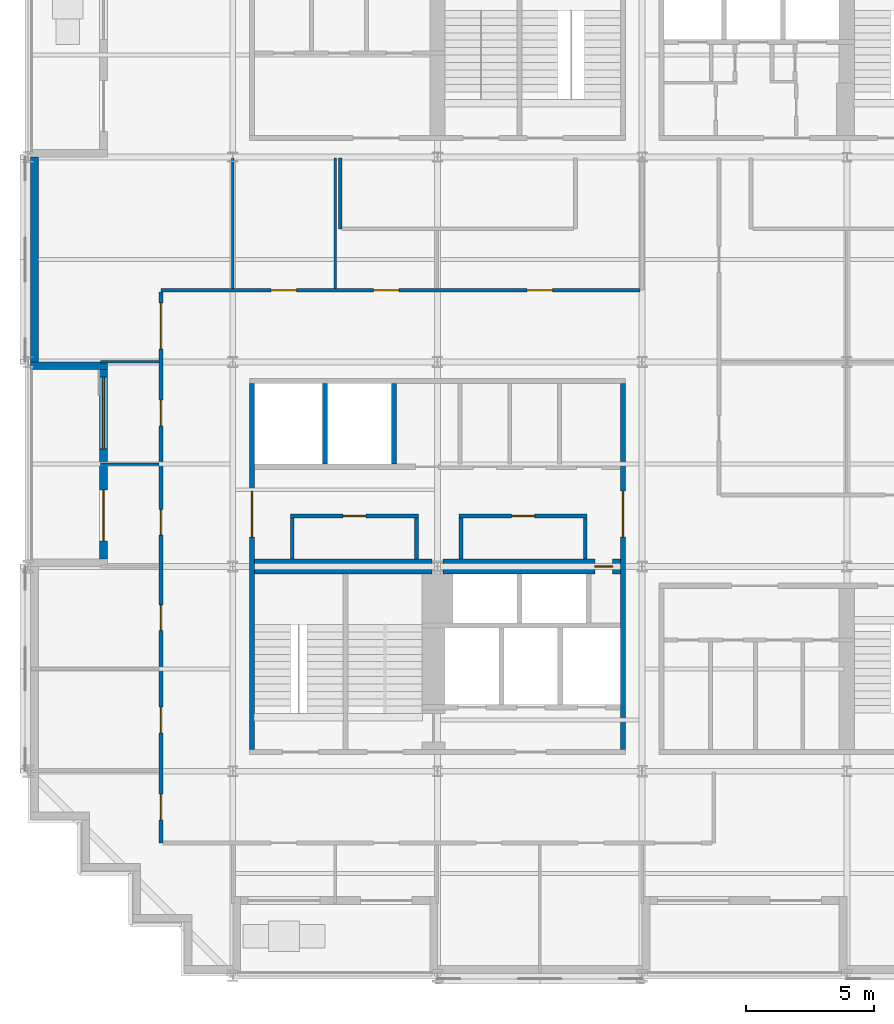
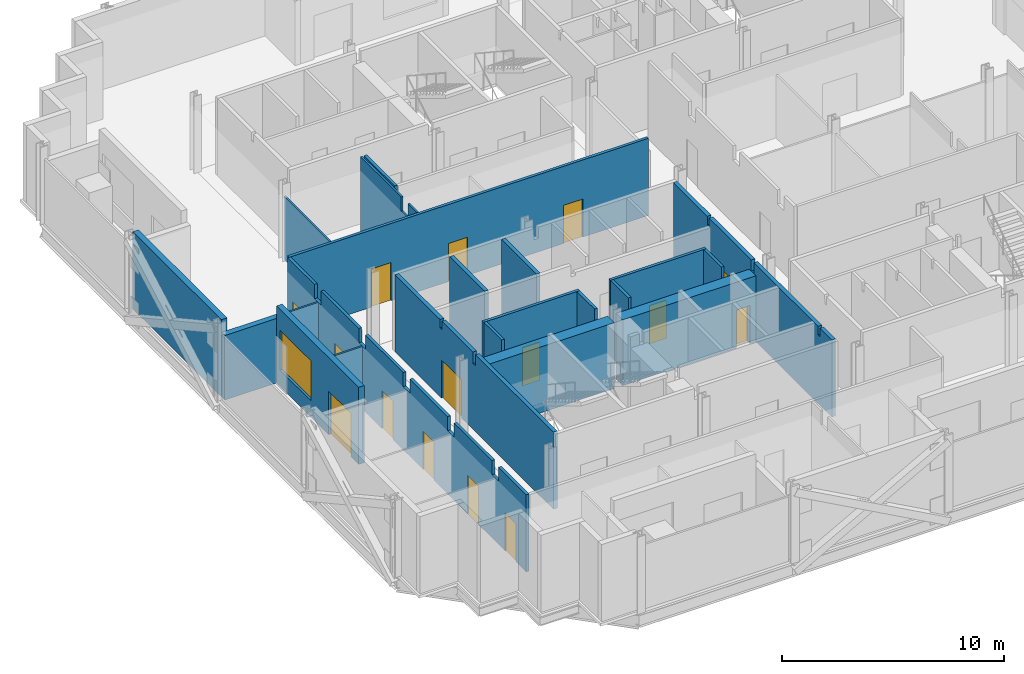
# One storey, part 7 of 15: 22 walls, 15 doors, 1 window, 16 openings.
"""IFC4 building model written with IfcOpenShell, lengths in metres."""

from ifc_helpers import new_model, si_unit, direction, frame, frame_2d, origin, place, context, subcontext, project, spatial, polyline, rectangle, outline, extrude, material, layer, layer_set, type_object, element, fill, save


model = new_model("IFC4")

# Units and contexts
model_context = context("Model", 3, precision=1e-05, world=origin(), true_north=direction((0.0, 1.0)))
body_context = subcontext(model_context, "Body", "Model", "MODEL_VIEW")
ifc_project = project(units=[si_unit("LENGTHUNIT", "METRE"), si_unit("AREAUNIT", "SQUARE_METRE"), si_unit("VOLUMEUNIT", "CUBIC_METRE"), si_unit("PLANEANGLEUNIT", "RADIAN"), si_unit("MASSUNIT", "GRAM", prefix="KILO")], contexts=[model_context])

# Site, building, storey
site_placement = place(None, origin())
site = spatial("IfcSite", under=ifc_project, at=site_placement, CompositionType="ELEMENT")
building_placement = place(site_placement, origin())
building = spatial("IfcBuilding", under=site, at=building_placement, Name="Immortelle Media Tower", CompositionType="ELEMENT")
storey_placement = place(building_placement, frame((0.0, 0.0, 78.800048828125)))
storey = spatial("IfcBuildingStorey", under=building, at=storey_placement, Name="L14", CompositionType="ELEMENT", Elevation=78.800048828125)

# Wall, opening, door
ifc_material_1 = material(Name="Fire-rated masonry blockwork", Category="masonry")
ifc_layer_1 = layer(ifc_material_1, 0.60009765625)
ifc_layer_set_1 = layer_set([ifc_layer_1], Name="Fire-rated masonry blockwork")
wall_type_1 = type_object("IfcWallType", Name="Core grid-line wall 600", PredefinedType="PARTITIONING", material=ifc_layer_set_1)
wall_1_placement = place(storey_placement, frame((16.218505859375, 16.0, 0.0), z_axis=(0.0, 0.0, 1.0), x_axis=(1.0, 0.0, 0.0)))
wall_1 = element("IfcWall", 1, at=wall_1_placement, inside=storey, type_object=wall_type_1, Name="Core grid-line wall SW", PredefinedType="PARTITIONING", context=body_context, shape_type="SweptSolid", body=[
    extrude(rectangle(XDim=6.931396484375, YDim=0.60009765625, at=frame_2d((3.4658203125, 0.0))), origin(), (0.0, 0.0, 1.0), 3.6318359375),
])
opening_1_placement = place(wall_1_placement, frame((6.63134765625, 0.0, 0.0), z_axis=(0.0, 0.0, 1.0), x_axis=(-1.0, 0.0, 0.0)))
opening_1 = element("IfcOpeningElement", 2, at=opening_1_placement, cuts=wall_1, Name="Opening N4-K013", PredefinedType="OPENING", context=body_context, shape_type="SweptSolid", body=[
    extrude(rectangle(XDim=0.699951171875, YDim=2.10009765625, at=frame_2d((0.35009765625, 1.050048828125))), frame((0.0, 0.31005859375, 0.0), z_axis=(0.0, -1.0, 0.0), x_axis=(1.0, 0.0, 0.0)), (0.0, 0.0, 1.0), 0.6201171875),
])
ifc_material_2 = material(Name="Galvanised steel door leaf and frame ASTM A653", Category="steel")
door_type_1 = type_object("IfcDoorType", Name="Service door 700 x 2100", OperationType="NOTDEFINED", PredefinedType="NOTDEFINED", material=ifc_material_2)
door_1_placement = place(opening_1_placement, origin())
door_1 = element("IfcDoor", 3, at=door_1_placement, inside=storey, type_object=door_type_1, Name="Service N4-K013", OperationType="SINGLE_SWING_LEFT", OverallHeight=2.10009765625, OverallWidth=0.699951171875, PredefinedType="NOTDEFINED", context=body_context, shape_type="SweptSolid", body=[
    extrude(rectangle(XDim=0.699951171875, YDim=2.10009765625, at=frame_2d((0.35009765625, 1.050048828125))), frame((0.0, 0.02490234375, 0.0), z_axis=(0.0, -1.0, 0.0), x_axis=(1.0, 0.0, 0.0)), (0.0, 0.0, 1.0), 0.050048828125),
])
fill(opening_1, door_1)

# Wall
ifc_material_3 = material(Name="Fire-rated gypsum board", Category="gypsum")
ifc_layer_2 = layer(ifc_material_3, 0.02490234375)
ifc_material_4 = material(Name="Steel ASTM A653 SS Gr 50 stud frame with mineral wool", Category="steel")
ifc_layer_3 = layer(ifc_material_4, 0.10009765625)
ifc_layer_4 = layer(ifc_material_3, 0.02490234375)
ifc_layer_set_2 = layer_set([ifc_layer_2, ifc_layer_3, ifc_layer_4], Name="Steel ASTM A653 SS Gr 50 stud frame with mineral wool")
wall_type_2 = type_object("IfcWallType", Name="Core partition 150", PredefinedType="PARTITIONING", material=ifc_layer_set_2)
wall_2_placement = place(storey_placement, frame((10.324951171875, 16.300048828125, 0.0), z_axis=(0.0, 0.0, 1.0), x_axis=(0.0, 1.0, 0.0)))
element("IfcWall", 4, at=wall_2_placement, inside=storey, type_object=wall_type_2, Name="Core partition SW", PredefinedType="PARTITIONING", context=body_context, shape_type="SweptSolid", body=[
    extrude(rectangle(XDim=1.599853515625, YDim=0.14990234375, at=frame_2d((0.7998046875, 0.0))), origin(), (0.0, 0.0, 1.0), 4.25),
])

# Wall, opening, door
wall_3_placement = place(storey_placement, frame((10.25, 17.97509765625, 0.0), z_axis=(0.0, 0.0, 1.0), x_axis=(1.0, 0.0, 0.0)))
wall_3 = element("IfcWall", 5, at=wall_3_placement, inside=storey, type_object=wall_type_2, Name="Core partition SW", PredefinedType="PARTITIONING", context=body_context, shape_type="SweptSolid", body=[
    extrude(rectangle(XDim=5.0, YDim=0.14990234375, at=frame_2d((2.5, 0.0))), origin(), (0.0, 0.0, 1.0), 4.25),
])
opening_2_placement = place(wall_3_placement, frame((2.949951171875, 0.0, 0.0), z_axis=(0.0, 0.0, 1.0), x_axis=(-1.0, 0.0, 0.0)))
opening_2 = element("IfcOpeningElement", 6, at=opening_2_placement, cuts=wall_3, Name="Opening N4-K003", PredefinedType="OPENING", context=body_context, shape_type="SweptSolid", body=[
    extrude(rectangle(XDim=0.89990234375, YDim=2.10009765625, at=frame_2d((0.449951171875, 1.050048828125))), frame((0.0, 0.0849609375, 0.0), z_axis=(0.0, -1.0, 0.0), x_axis=(1.0, 0.0, 0.0)), (0.0, 0.0, 1.0), 0.169921875),
])
ifc_material_5 = material(Name="Timber", Category="wood")
door_type_2 = type_object("IfcDoorType", Name="Room door 900 x 2100", OperationType="NOTDEFINED", PredefinedType="NOTDEFINED", material=ifc_material_5)
door_2_placement = place(opening_2_placement, origin())
door_2 = element("IfcDoor", 7, at=door_2_placement, inside=storey, type_object=door_type_2, Name="Room N4-K003", OperationType="SINGLE_SWING_RIGHT", OverallHeight=2.10009765625, OverallWidth=0.89990234375, PredefinedType="NOTDEFINED", context=body_context, shape_type="SweptSolid", body=[
    extrude(rectangle(XDim=0.89990234375, YDim=2.10009765625, at=frame_2d((0.449951171875, 1.050048828125))), frame((0.0, 0.02490234375, 0.0), z_axis=(0.0, -1.0, 0.0), x_axis=(1.0, 0.0, 0.0)), (0.0, 0.0, 1.0), 0.050048828125),
])
fill(opening_2, door_2)

# Walls
for number, where, z_axis, x_axis, name in (
    (8, (15.175048828125, 16.300048828125, 0.0), (0.0, 0.0, 1.0), (0.0, 1.0, 0.0), "Core partition SW"),
    (9, (16.925048828125, 16.300048828125, 0.0), (0.0, 0.0, 1.0), (0.0, 1.0, 0.0), "Core partition SW"),
):
    element("IfcWall", number, at=place(storey_placement, frame(where, z_axis=z_axis, x_axis=x_axis)), inside=storey, type_object=wall_type_2, Name=name, PredefinedType="PARTITIONING", context=body_context, shape_type="SweptSolid", body=[
        extrude(rectangle(XDim=1.599853515625, YDim=0.14990234375, at=frame_2d((0.7998046875, 0.0))), origin(), (0.0, 0.0, 1.0), 4.25),
    ])

# Wall, opening, door
wall_4_placement = place(storey_placement, frame((16.85009765625, 17.97509765625, 0.0), z_axis=(0.0, 0.0, 1.0), x_axis=(1.0, 0.0, 0.0)))
wall_4 = element("IfcWall", 10, at=wall_4_placement, inside=storey, type_object=wall_type_2, Name="Core partition SW", PredefinedType="PARTITIONING", context=body_context, shape_type="SweptSolid", body=[
    extrude(rectangle(XDim=5.0, YDim=0.14990234375, at=frame_2d((2.5, 0.0))), origin(), (0.0, 0.0, 1.0), 4.25),
])
opening_3_placement = place(wall_4_placement, frame((2.949951171875, 0.0, 0.0), z_axis=(0.0, 0.0, 1.0), x_axis=(-1.0, 0.0, 0.0)))
opening_3 = element("IfcOpeningElement", 11, at=opening_3_placement, cuts=wall_4, Name="Opening N4-K037", PredefinedType="OPENING", context=body_context, shape_type="SweptSolid", body=[
    extrude(rectangle(XDim=0.89990234375, YDim=2.10009765625, at=frame_2d((0.449951171875, 1.050048828125))), frame((0.0, 0.0849609375, 0.0), z_axis=(0.0, -1.0, 0.0), x_axis=(1.0, 0.0, 0.0)), (0.0, 0.0, 1.0), 0.169921875),
])
door_3_placement = place(opening_3_placement, origin())
door_3 = element("IfcDoor", 12, at=door_3_placement, inside=storey, type_object=door_type_2, Name="Room N4-K037", OperationType="SINGLE_SWING_LEFT", OverallHeight=2.10009765625, OverallWidth=0.89990234375, PredefinedType="NOTDEFINED", context=body_context, shape_type="SweptSolid", body=[
    extrude(rectangle(XDim=0.89990234375, YDim=2.10009765625, at=frame_2d((0.449951171875, 1.050048828125))), frame((0.0, 0.02490234375, 0.0), z_axis=(0.0, -1.0, 0.0), x_axis=(1.0, 0.0, 0.0)), (0.0, 0.0, 1.0), 0.050048828125),
])
fill(opening_3, door_3)

# Walls
wall_5_placement = place(storey_placement, frame((21.77490234375, 16.300048828125, 0.0), z_axis=(0.0, 0.0, 1.0), x_axis=(0.0, 1.0, 0.0)))
element("IfcWall", 13, at=wall_5_placement, inside=storey, type_object=wall_type_2, Name="Core partition SW", PredefinedType="PARTITIONING", context=body_context, shape_type="SweptSolid", body=[
    extrude(rectangle(XDim=1.599853515625, YDim=0.14990234375, at=frame_2d((0.7998046875, 0.0))), origin(), (0.0, 0.0, 1.0), 4.25),
])
ifc_layer_5 = layer(ifc_material_3, 0.03759765625)
ifc_layer_6 = layer(ifc_material_4, 0.125)
ifc_layer_7 = layer(ifc_material_3, 0.03759765625)
ifc_layer_set_3 = layer_set([ifc_layer_5, ifc_layer_6, ifc_layer_7], Name="Steel ASTM A653 SS Gr 50 stud frame with mineral wool")
wall_type_3 = type_object("IfcWallType", Name="Core shaft wall 200", PredefinedType="PARTITIONING", material=ifc_layer_set_3)
for number, where, z_axis, x_axis, name in (
    (14, (11.60009765625, 20.0, 0.0), (0.0, 0.0, 1.0), (0.0, 1.0, 0.0), "Core shaft wall SW"),
    (15, (14.300048828125, 20.0, 0.0), (0.0, 0.0, 1.0), (0.0, 1.0, 0.0), "Core shaft wall SW"),
):
    element("IfcWall", number, at=place(storey_placement, frame(where, z_axis=z_axis, x_axis=x_axis)), inside=storey, type_object=wall_type_3, Name=name, PredefinedType="PARTITIONING", context=body_context, shape_type="SweptSolid", body=[
        extrude(rectangle(XDim=3.14990234375, YDim=0.199951171875, at=frame_2d((1.574951171875, 0.0))), origin(), (0.0, 0.0, 1.0), 4.25),
    ])

# Wall, opening, door
wall_6_placement = place(storey_placement, frame((23.25, 8.85009765625, 0.0), z_axis=(0.0, 0.0, 1.0), x_axis=(0.0, 1.0, 0.0)))
wall_6 = element("IfcWall", 16, at=wall_6_placement, inside=storey, type_object=wall_type_3, Name="Core shaft wall SW", PredefinedType="PARTITIONING", context=body_context, shape_type="SweptSolid", body=[
    extrude(outline(polyline([(0.0, 0.0), (14.2998046875, 0.0), (14.300048828125, 4.25), (11.2314453125, 4.25), (11.23046875, 3.7890625), (11.069580078125, 3.7890625), (11.068603515625, 4.25), (7.26953125, 4.25), (7.2685546875, 3.6318359375), (7.031494140625, 3.6318359375), (7.030517578125, 4.25), (1.2314453125, 4.25), (1.23046875, 3.7890625), (1.069580078125, 3.7890625), (1.068603515625, 4.25), (0.0, 4.25), (0.0, 0.0)])), frame((0.0, 0.10009765625, 0.0), z_axis=(0.0, -1.0, 0.0), x_axis=(1.0, 0.0, 0.0)), (0.0, 0.0, 1.0), 0.199951171875),
])
opening_4_placement = place(wall_6_placement, frame((8.300048828125, 0.0, 0.0)))
opening_4 = element("IfcOpeningElement", 17, at=opening_4_placement, cuts=wall_6, Name="Opening N4-K014", PredefinedType="OPENING", context=body_context, shape_type="SweptSolid", body=[
    extrude(rectangle(XDim=1.800048828125, YDim=2.10009765625, at=frame_2d((0.89990234375, 1.050048828125))), frame((0.0, 0.10986328125, 0.0), z_axis=(0.0, -1.0, 0.0), x_axis=(1.0, 0.0, 0.0)), (0.0, 0.0, 1.0), 0.219970703125),
])
door_type_3 = type_object("IfcDoorType", Name="Lift lobby door 1800 x 2100", OperationType="DOUBLE_DOOR_SINGLE_SWING", PredefinedType="NOTDEFINED", material=ifc_material_2)
door_4_placement = place(opening_4_placement, origin())
door_4 = element("IfcDoor", 18, at=door_4_placement, inside=storey, type_object=door_type_3, Name="Lift lobby N4-K014", OperationType="DOUBLE_DOOR_SINGLE_SWING", OverallHeight=2.10009765625, OverallWidth=1.800048828125, PredefinedType="NOTDEFINED", context=body_context, shape_type="SweptSolid", body=[
    extrude(rectangle(XDim=1.800048828125, YDim=2.10009765625, at=frame_2d((0.89990234375, 1.050048828125))), frame((0.0, 0.02490234375, 0.0), z_axis=(0.0, -1.0, 0.0), x_axis=(1.0, 0.0, 0.0)), (0.0, 0.0, 1.0), 0.050048828125),
])
fill(opening_4, door_4)

# Wall, openings, doors
ifc_layer_8 = layer(ifc_material_3, 0.012451171875)
ifc_layer_9 = layer(ifc_material_4, 0.125)
ifc_layer_10 = layer(ifc_material_3, 0.012451171875)
ifc_layer_set_4 = layer_set([ifc_layer_8, ifc_layer_9, ifc_layer_10], Name="Steel ASTM A653 SS Gr 50 stud frame with mineral wool")
wall_type_4 = type_object("IfcWallType", Name="Corridor wall 150", PredefinedType="PARTITIONING", material=ifc_layer_set_4)
wall_7_placement = place(storey_placement, frame((5.199951171875, 5.199951171875, 0.0), z_axis=(0.0, 0.0, 1.0), x_axis=(0.0, 1.0, 0.0)))
wall_7 = element("IfcWall", 19, at=wall_7_placement, inside=storey, type_object=wall_type_4, Name="Partition L14-007", PredefinedType="PARTITIONING", context=body_context, shape_type="SweptSolid", body=[
    extrude(outline(polyline([(0.0, 0.0), (21.525146484375, 0.0), (21.52490234375, 4.25), (19.10009765625, 4.25), (19.097900390625, 3.469970703125), (18.501953125, 3.469970703125), (18.5, 4.25), (15.10009765625, 4.25), (15.097900390625, 3.469970703125), (14.501953125, 3.469970703125), (14.5, 4.25), (11.10009765625, 4.25), (11.097900390625, 3.469970703125), (10.501953125, 3.469970703125), (10.5, 4.25), (7.10009765625, 4.25), (7.097900390625, 3.469970703125), (6.501953125, 3.469970703125), (6.5, 4.25), (3.10009765625, 4.25), (3.097900390625, 3.469970703125), (2.501953125, 3.469970703125), (2.5, 4.25), (0.0, 4.25), (0.0, 0.0)])), frame((0.0, 0.074951171875, 0.0), z_axis=(0.0, -1.0, 0.0), x_axis=(1.0, 0.0, 0.0)), (0.0, 0.0, 1.0), 0.14990234375),
])
opening_5_placement = place(wall_7_placement, frame((0.89990234375, 0.0, 0.0)))
opening_5 = element("IfcOpeningElement", 20, at=opening_5_placement, cuts=wall_7, Name="Opening N4-F005", PredefinedType="OPENING", context=body_context, shape_type="SweptSolid", body=[
    extrude(rectangle(XDim=1.0, YDim=2.10009765625, at=frame_2d((0.5, 1.050048828125))), frame((0.0, 0.0849609375, 0.0), z_axis=(0.0, -1.0, 0.0), x_axis=(1.0, 0.0, 0.0)), (0.0, 0.0, 1.0), 0.169921875),
])
opening_6_placement = place(wall_7_placement, frame((4.300048828125, 0.0, 0.0)))
opening_6 = element("IfcOpeningElement", 21, at=opening_6_placement, cuts=wall_7, Name="Opening N4-F007", PredefinedType="OPENING", context=body_context, shape_type="SweptSolid", body=[
    extrude(rectangle(XDim=1.0, YDim=2.10009765625, at=frame_2d((0.5, 1.050048828125))), frame((0.0, 0.0849609375, 0.0), z_axis=(0.0, -1.0, 0.0), x_axis=(1.0, 0.0, 0.0)), (0.0, 0.0, 1.0), 0.169921875),
])
opening_7_placement = place(wall_7_placement, frame((8.300048828125, 0.0, 0.0)))
opening_7 = element("IfcOpeningElement", 22, at=opening_7_placement, cuts=wall_7, Name="Opening N4-F008", PredefinedType="OPENING", context=body_context, shape_type="SweptSolid", body=[
    extrude(rectangle(XDim=1.0, YDim=2.10009765625, at=frame_2d((0.5, 1.050048828125))), frame((0.0, 0.0849609375, 0.0), z_axis=(0.0, -1.0, 0.0), x_axis=(1.0, 0.0, 0.0)), (0.0, 0.0, 1.0), 0.169921875),
])
opening_8_placement = place(wall_7_placement, frame((12.02490234375, 0.0, 0.0)))
opening_8 = element("IfcOpeningElement", 23, at=opening_8_placement, cuts=wall_7, Name="Opening N4-F009", PredefinedType="OPENING", context=body_context, shape_type="SweptSolid", body=[
    extrude(rectangle(XDim=1.0, YDim=2.10009765625, at=frame_2d((0.5, 1.050048828125))), frame((0.0, 0.0849609375, 0.0), z_axis=(0.0, -1.0, 0.0), x_axis=(1.0, 0.0, 0.0)), (0.0, 0.0, 1.0), 0.169921875),
])
opening_9_placement = place(wall_7_placement, frame((16.300048828125, 0.0, 0.0)))
opening_9 = element("IfcOpeningElement", 24, at=opening_9_placement, cuts=wall_7, Name="Opening N4-F010", PredefinedType="OPENING", context=body_context, shape_type="SweptSolid", body=[
    extrude(rectangle(XDim=1.0, YDim=2.10009765625, at=frame_2d((0.5, 1.050048828125))), frame((0.0, 0.0849609375, 0.0), z_axis=(0.0, -1.0, 0.0), x_axis=(1.0, 0.0, 0.0)), (0.0, 0.0, 1.0), 0.169921875),
])
opening_10_placement = place(wall_7_placement, frame((19.300048828125, 0.0, 0.0)))
opening_10 = element("IfcOpeningElement", 25, at=opening_10_placement, cuts=wall_7, Name="Opening N4-F020", PredefinedType="OPENING", context=body_context, shape_type="SweptSolid", body=[
    extrude(rectangle(XDim=1.800048828125, YDim=2.10009765625, at=frame_2d((0.89990234375, 1.050048828125))), frame((0.0, 0.0849609375, 0.0), z_axis=(0.0, -1.0, 0.0), x_axis=(1.0, 0.0, 0.0)), (0.0, 0.0, 1.0), 0.169921875),
])
ifc_material_6 = material(Name="Timber veneered door leaf, galvanised steel frame ASTM A653", Category="steel")
door_type_4 = type_object("IfcDoorType", Name="Room door 1000 x 2100", OperationType="NOTDEFINED", PredefinedType="DOOR", material=ifc_material_6)
door_5_placement = place(opening_5_placement, origin())
door_5 = element("IfcDoor", 26, at=door_5_placement, inside=storey, type_object=door_type_4, Name="Door N4-F005", OperationType="SINGLE_SWING_RIGHT", OverallHeight=2.10009765625, OverallWidth=1.0, PredefinedType="DOOR", context=body_context, shape_type="SweptSolid", body=[
    extrude(rectangle(XDim=1.0, YDim=2.10009765625, at=frame_2d((0.5, 1.050048828125))), frame((0.0, 0.02490234375, 0.0), z_axis=(0.0, -1.0, 0.0), x_axis=(1.0, 0.0, 0.0)), (0.0, 0.0, 1.0), 0.050048828125),
])
fill(opening_5, door_5)
door_6_placement = place(opening_6_placement, origin())
door_6 = element("IfcDoor", 27, at=door_6_placement, inside=storey, type_object=door_type_4, Name="Door N4-F007", OperationType="SINGLE_SWING_RIGHT", OverallHeight=2.10009765625, OverallWidth=1.0, PredefinedType="DOOR", context=body_context, shape_type="SweptSolid", body=[
    extrude(rectangle(XDim=1.0, YDim=2.10009765625, at=frame_2d((0.5, 1.050048828125))), frame((0.0, 0.02490234375, 0.0), z_axis=(0.0, -1.0, 0.0), x_axis=(1.0, 0.0, 0.0)), (0.0, 0.0, 1.0), 0.050048828125),
])
fill(opening_6, door_6)
door_7_placement = place(opening_7_placement, origin())
door_7 = element("IfcDoor", 28, at=door_7_placement, inside=storey, type_object=door_type_4, Name="Door N4-F008", OperationType="SINGLE_SWING_LEFT", OverallHeight=2.10009765625, OverallWidth=1.0, PredefinedType="DOOR", context=body_context, shape_type="SweptSolid", body=[
    extrude(rectangle(XDim=1.0, YDim=2.10009765625, at=frame_2d((0.5, 1.050048828125))), frame((0.0, 0.02490234375, 0.0), z_axis=(0.0, -1.0, 0.0), x_axis=(1.0, 0.0, 0.0)), (0.0, 0.0, 1.0), 0.050048828125),
])
fill(opening_7, door_7)
door_8_placement = place(opening_8_placement, origin())
door_8 = element("IfcDoor", 29, at=door_8_placement, inside=storey, type_object=door_type_4, Name="Door N4-F009", OperationType="SINGLE_SWING_LEFT", OverallHeight=2.10009765625, OverallWidth=1.0, PredefinedType="DOOR", context=body_context, shape_type="SweptSolid", body=[
    extrude(rectangle(XDim=1.0, YDim=2.10009765625, at=frame_2d((0.5, 1.050048828125))), frame((0.0, 0.02490234375, 0.0), z_axis=(0.0, -1.0, 0.0), x_axis=(1.0, 0.0, 0.0)), (0.0, 0.0, 1.0), 0.050048828125),
])
fill(opening_8, door_8)
door_9_placement = place(opening_9_placement, origin())
door_9 = element("IfcDoor", 30, at=door_9_placement, inside=storey, type_object=door_type_4, Name="Door N4-F010", OperationType="SINGLE_SWING_RIGHT", OverallHeight=2.10009765625, OverallWidth=1.0, PredefinedType="DOOR", context=body_context, shape_type="SweptSolid", body=[
    extrude(rectangle(XDim=1.0, YDim=2.10009765625, at=frame_2d((0.5, 1.050048828125))), frame((0.0, 0.02490234375, 0.0), z_axis=(0.0, -1.0, 0.0), x_axis=(1.0, 0.0, 0.0)), (0.0, 0.0, 1.0), 0.050048828125),
])
fill(opening_9, door_9)
door_type_5 = type_object("IfcDoorType", Name="Room door 1800 x 2100", OperationType="DOUBLE_DOOR_SINGLE_SWING", PredefinedType="DOOR", material=ifc_material_6)
door_10_placement = place(opening_10_placement, origin())
door_10 = element("IfcDoor", 31, at=door_10_placement, inside=storey, type_object=door_type_5, Name="Door N4-F020", OperationType="DOUBLE_DOOR_SINGLE_SWING", OverallHeight=2.10009765625, OverallWidth=1.800048828125, PredefinedType="DOOR", context=body_context, shape_type="SweptSolid", body=[
    extrude(rectangle(XDim=1.800048828125, YDim=2.10009765625, at=frame_2d((0.89990234375, 1.050048828125))), frame((0.0, 0.02490234375, 0.0), z_axis=(0.0, -1.0, 0.0), x_axis=(1.0, 0.0, 0.0)), (0.0, 0.0, 1.0), 0.050048828125),
])
fill(opening_10, door_10)

wall_8_placement = place(storey_placement, frame((5.199951171875, 26.800048828125, 0.0), z_axis=(0.0, 0.0, 1.0), x_axis=(1.0, 0.0, 0.0)))
wall_8 = element("IfcWall", 32, at=wall_8_placement, inside=storey, type_object=wall_type_4, Name="Partition L14-027", PredefinedType="PARTITIONING", context=body_context, shape_type="SweptSolid", body=[
    extrude(rectangle(XDim=18.72509765625, YDim=0.14990234375, at=frame_2d((9.362548828125, 0.0))), origin(), (0.0, 0.0, 1.0), 4.25),
])
opening_11_placement = place(wall_8_placement, frame((14.300048828125, 0.0, 0.0)))
opening_11 = element("IfcOpeningElement", 33, at=opening_11_placement, cuts=wall_8, Name="Opening N4-F016", PredefinedType="OPENING", context=body_context, shape_type="SweptSolid", body=[
    extrude(rectangle(XDim=1.0, YDim=2.10009765625, at=frame_2d((0.5, 1.050048828125))), frame((0.0, 0.0849609375, 0.0), z_axis=(0.0, -1.0, 0.0), x_axis=(1.0, 0.0, 0.0)), (0.0, 0.0, 1.0), 0.169921875),
])
opening_12_placement = place(wall_8_placement, frame((4.300048828125, 0.0, 0.0)))
opening_12 = element("IfcOpeningElement", 34, at=opening_12_placement, cuts=wall_8, Name="Opening N4-F017", PredefinedType="OPENING", context=body_context, shape_type="SweptSolid", body=[
    extrude(rectangle(XDim=1.0, YDim=2.10009765625, at=frame_2d((0.5, 1.050048828125))), frame((0.0, 0.0849609375, 0.0), z_axis=(0.0, -1.0, 0.0), x_axis=(1.0, 0.0, 0.0)), (0.0, 0.0, 1.0), 0.169921875),
])
opening_13_placement = place(wall_8_placement, frame((8.300048828125, 0.0, 0.0)))
opening_13 = element("IfcOpeningElement", 35, at=opening_13_placement, cuts=wall_8, Name="Opening N4-F018", PredefinedType="OPENING", context=body_context, shape_type="SweptSolid", body=[
    extrude(rectangle(XDim=1.0, YDim=2.10009765625, at=frame_2d((0.5, 1.050048828125))), frame((0.0, 0.0849609375, 0.0), z_axis=(0.0, -1.0, 0.0), x_axis=(1.0, 0.0, 0.0)), (0.0, 0.0, 1.0), 0.169921875),
])
door_11_placement = place(opening_11_placement, origin())
door_11 = element("IfcDoor", 36, at=door_11_placement, inside=storey, type_object=door_type_4, Name="Door N4-F016", OperationType="SINGLE_SWING_RIGHT", OverallHeight=2.10009765625, OverallWidth=1.0, PredefinedType="DOOR", context=body_context, shape_type="SweptSolid", body=[
    extrude(rectangle(XDim=1.0, YDim=2.10009765625, at=frame_2d((0.5, 1.050048828125))), frame((0.0, 0.02490234375, 0.0), z_axis=(0.0, -1.0, 0.0), x_axis=(1.0, 0.0, 0.0)), (0.0, 0.0, 1.0), 0.050048828125),
])
fill(opening_11, door_11)
door_12_placement = place(opening_12_placement, origin())
door_12 = element("IfcDoor", 37, at=door_12_placement, inside=storey, type_object=door_type_4, Name="Door N4-F017", OperationType="SINGLE_SWING_LEFT", OverallHeight=2.10009765625, OverallWidth=1.0, PredefinedType="DOOR", context=body_context, shape_type="SweptSolid", body=[
    extrude(rectangle(XDim=1.0, YDim=2.10009765625, at=frame_2d((0.5, 1.050048828125))), frame((0.0, 0.02490234375, 0.0), z_axis=(0.0, -1.0, 0.0), x_axis=(1.0, 0.0, 0.0)), (0.0, 0.0, 1.0), 0.050048828125),
])
fill(opening_12, door_12)
door_13_placement = place(opening_13_placement, origin())
door_13 = element("IfcDoor", 38, at=door_13_placement, inside=storey, type_object=door_type_4, Name="Door N4-F018", OperationType="SINGLE_SWING_RIGHT", OverallHeight=2.10009765625, OverallWidth=1.0, PredefinedType="DOOR", context=body_context, shape_type="SweptSolid", body=[
    extrude(rectangle(XDim=1.0, YDim=2.10009765625, at=frame_2d((0.5, 1.050048828125))), frame((0.0, 0.02490234375, 0.0), z_axis=(0.0, -1.0, 0.0), x_axis=(1.0, 0.0, 0.0)), (0.0, 0.0, 1.0), 0.050048828125),
])
fill(opening_13, door_13)

# Walls
wall_9_placement = place(storey_placement, frame((12.199951171875, 29.199951171875, 0.0), z_axis=(0.0, 0.0, 1.0), x_axis=(0.0, 1.0, 0.0)))
element("IfcWall", 39, at=wall_9_placement, inside=storey, type_object=wall_type_4, Name="Partition L14-033", PredefinedType="PARTITIONING", context=body_context, shape_type="SweptSolid", body=[
    extrude(rectangle(XDim=2.77001953125, YDim=0.14990234375, at=frame_2d((1.385009765625, 0.0))), origin(), (0.0, 0.0, 1.0), 4.25),
])
ifc_material_7 = material(Name="Pale aluminium cladding panel", Category="aluminium")
ifc_layer_11 = layer(ifc_material_7, 0.030029296875)
ifc_layer_12 = layer(ifc_material_4, 0.257568359375)
ifc_material_8 = material(Name="Moisture-resistant gypsum board", Category="gypsum")
ifc_layer_13 = layer(ifc_material_8, 0.012451171875)
ifc_layer_set_5 = layer_set([ifc_layer_11, ifc_layer_12, ifc_layer_13], Name="Steel ASTM A653 SS Gr 50 stud frame with mineral wool")
wall_type_5 = type_object("IfcWallType", Name="Facade wall 300", PredefinedType="SOLIDWALL", material=ifc_layer_set_5)
wall_10_placement = place(storey_placement, frame((0.25, 32.0, 0.0), z_axis=(0.0, 0.0, 1.0), x_axis=(0.0, -1.0, 0.0)))
element("IfcWall", 40, at=wall_10_placement, inside=storey, type_object=wall_type_5, Name="Facade wall L14 W0", PredefinedType="SOLIDWALL", context=body_context, shape_type="SweptSolid", body=[
    extrude(rectangle(XDim=8.0, YDim=0.300048828125, at=frame_2d((4.0, 0.0))), origin(), (0.0, 0.0, 1.0), 4.25),
])

# Wall, openings, door, window
wall_11_placement = place(storey_placement, frame((2.949951171875, 23.699951171875, 0.0), z_axis=(0.0, 0.0, 1.0), x_axis=(0.0, -1.0, 0.0)))
wall_11 = element("IfcWall", 41, at=wall_11_placement, inside=storey, type_object=wall_type_5, Name="Loggia wall L14 W0", PredefinedType="SOLIDWALL", context=body_context, shape_type="SweptSolid", body=[
    extrude(rectangle(XDim=7.39990234375, YDim=0.300048828125, at=frame_2d((3.699951171875, 0.0))), origin(), (0.0, 0.0, 1.0), 4.25),
])
opening_14_placement = place(wall_11_placement, frame((0.300048828125, 0.0, 0.89990234375)))
opening_14 = element("IfcOpeningElement", 42, at=opening_14_placement, cuts=wall_11, Name="Opening W1", PredefinedType="OPENING", context=body_context, shape_type="SweptSolid", body=[
    extrude(rectangle(XDim=2.800048828125, YDim=2.199951171875, at=frame_2d((1.39990234375, 1.10009765625))), frame((0.0, 0.159912109375, 0.0), z_axis=(0.0, -1.0, 0.0), x_axis=(1.0, 0.0, 0.0)), (0.0, 0.0, 1.0), 0.320068359375),
])
opening_15_placement = place(wall_11_placement, frame((4.699951171875, 0.0, 0.0)))
opening_15 = element("IfcOpeningElement", 43, at=opening_15_placement, cuts=wall_11, Name="Opening N4-E002", PredefinedType="OPENING", context=body_context, shape_type="SweptSolid", body=[
    extrude(rectangle(XDim=2.0, YDim=2.39990234375, at=frame_2d((1.0, 1.199951171875))), frame((0.0, 0.159912109375, 0.0), z_axis=(0.0, -1.0, 0.0), x_axis=(1.0, 0.0, 0.0)), (0.0, 0.0, 1.0), 0.320068359375),
])
ifc_material_9 = material(Name="Aluminium frame, glazed leaves", Category="aluminium")
door_type_6 = type_object("IfcDoorType", Name="Loggia door 2000 x 2400", OperationType="DOUBLE_DOOR_SINGLE_SWING", PredefinedType="DOOR", material=ifc_material_9)
door_14_placement = place(opening_15_placement, origin())
door_14 = element("IfcDoor", 44, at=door_14_placement, inside=storey, type_object=door_type_6, Name="Door N4-E002", OperationType="DOUBLE_DOOR_SINGLE_SWING", OverallHeight=2.39990234375, OverallWidth=2.0, PredefinedType="DOOR", context=body_context, shape_type="SweptSolid", body=[
    extrude(rectangle(XDim=2.0, YDim=2.39990234375, at=frame_2d((1.0, 1.199951171875))), frame((0.0, 0.02490234375, 0.0), z_axis=(0.0, -1.0, 0.0), x_axis=(1.0, 0.0, 0.0)), (0.0, 0.0, 1.0), 0.050048828125),
])
fill(opening_15, door_14)
ifc_material_10 = material(Name="Aluminium frame", Category="aluminium")
window_type = type_object("IfcWindowType", Name="Window 2800 x 2200", PartitioningType="SINGLE_PANEL", PredefinedType="WINDOW", material=ifc_material_10)
window_placement = place(opening_14_placement, origin())
window = element("IfcWindow", 45, at=window_placement, inside=storey, type_object=window_type, Name="Window L14 L14-R0-B2", OverallHeight=2.199951171875, OverallWidth=2.800048828125, PartitioningType="SINGLE_PANEL", PredefinedType="WINDOW", context=body_context, shape_type="SweptSolid", body=[
    extrude(rectangle(XDim=2.800048828125, YDim=2.199951171875, at=frame_2d((1.39990234375, 1.10009765625))), frame((0.0, 0.030029296875, 0.0), z_axis=(0.0, -1.0, 0.0), x_axis=(1.0, 0.0, 0.0)), (0.0, 0.0, 1.0), 0.06005859375),
])
fill(opening_14, window)

# Walls
wall_12_placement = place(storey_placement, frame((0.10009765625, 23.85009765625, 0.0), z_axis=(0.0, 0.0, 1.0), x_axis=(1.0, 0.0, 0.0)))
element("IfcWall", 46, at=wall_12_placement, inside=storey, type_object=wall_type_5, Name="Loggia cheek wall L14 W", PredefinedType="SOLIDWALL", context=body_context, shape_type="SweptSolid", body=[
    extrude(rectangle(XDim=3.0, YDim=0.300048828125, at=frame_2d((1.5, 0.0))), origin(), (0.0, 0.0, 1.0), 3.555908203125),
])
ifc_material_11 = material(Name="Gypsum board", Category="gypsum")
ifc_layer_14 = layer(ifc_material_11, 0.012451171875)
ifc_layer_15 = layer(ifc_material_4, 0.074951171875)
ifc_layer_16 = layer(ifc_material_11, 0.012451171875)
ifc_layer_set_6 = layer_set([ifc_layer_14, ifc_layer_15, ifc_layer_16], Name="Steel ASTM A653 SS Gr 50 stud frame with mineral wool")
wall_type_6 = type_object("IfcWallType", Name="Partition 100", PredefinedType="PARTITIONING", material=ifc_layer_set_6)
for number, where, z_axis, x_axis, name in (
    (47, (2.830078125, 20.0, 0.0), (0.0, 0.0, 1.0), (1.0, 0.0, 0.0), "Partition L14-020"),
    (48, (2.830078125, 24.0, 0.0), (0.0, 0.0, 1.0), (1.0, 0.0, 0.0), "Partition L14-021"),
):
    element("IfcWall", number, at=place(storey_placement, frame(where, z_axis=z_axis, x_axis=x_axis)), inside=storey, type_object=wall_type_6, Name=name, PredefinedType="PARTITIONING", context=body_context, shape_type="SweptSolid", body=[
        extrude(rectangle(XDim=2.294921875, YDim=0.10009765625, at=frame_2d((1.1474609375, 0.0))), origin(), (0.0, 0.0, 1.0), 3.469970703125),
    ])
wall_13_placement = place(storey_placement, frame((8.0, 26.875, 0.0), z_axis=(0.0, 0.0, 1.0), x_axis=(0.0, 1.0, 0.0)))
element("IfcWall", 49, at=wall_13_placement, inside=storey, type_object=wall_type_6, Name="Partition L14-028", PredefinedType="PARTITIONING", context=body_context, shape_type="SweptSolid", body=[
    extrude(rectangle(XDim=5.094970703125, YDim=0.10009765625, at=frame_2d((2.54736328125, 0.0))), origin(), (0.0, 0.0, 1.0), 3.469970703125),
])
wall_14_placement = place(storey_placement, frame((12.0, 26.875, 0.0), z_axis=(0.0, 0.0, 1.0), x_axis=(0.0, 1.0, 0.0)))
element("IfcWall", 50, at=wall_14_placement, inside=storey, type_object=wall_type_6, Name="Partition L14-029", PredefinedType="PARTITIONING", context=body_context, shape_type="SweptSolid", body=[
    extrude(outline(polyline([(0.0, 0.0), (5.094970703125, 0.0), (5.094970703125, 4.25), (1.425048828125, 4.25), (1.423095703125, 3.469970703125), (0.826904296875, 3.469970703125), (0.824951171875, 4.25), (0.0, 4.25), (0.0, 0.0)])), frame((0.0, 0.050048828125, 0.0), z_axis=(0.0, -1.0, 0.0), x_axis=(1.0, 0.0, 0.0)), (0.0, 0.0, 1.0), 0.10009765625),
])

# Wall, opening, door
ifc_material_12 = material(Name="Concrete C60", Category="concrete")
ifc_layer_17 = layer(ifc_material_12, 0.199951171875)
ifc_layer_set_7 = layer_set([ifc_layer_17], Name="Concrete C60")
wall_type_7 = type_object("IfcWallType", Name="Stair shaft wall 200", PredefinedType="PARTITIONING", material=ifc_layer_set_7)
wall_15_placement = place(storey_placement, frame((8.75, 8.85009765625, 0.0), z_axis=(0.0, 0.0, 1.0), x_axis=(0.0, 1.0, 0.0)))
wall_15 = element("IfcWall", 51, at=wall_15_placement, inside=storey, type_object=wall_type_7, Name="Stair shaft wall SW", PredefinedType="PARTITIONING", context=body_context, shape_type="SweptSolid", body=[
    extrude(outline(polyline([(0.0, 0.0), (14.2998046875, 0.0), (14.300048828125, 4.25), (10.2314453125, 4.25), (10.23046875, 3.7890625), (10.069580078125, 3.7890625), (10.068603515625, 4.25), (7.26953125, 4.25), (7.2685546875, 3.6318359375), (7.031494140625, 3.6318359375), (7.030517578125, 4.25), (0.0, 4.25), (0.0, 0.0)])), frame((0.0, 0.10009765625, 0.0), z_axis=(0.0, -1.0, 0.0), x_axis=(1.0, 0.0, 0.0)), (0.0, 0.0, 1.0), 0.199951171875),
])
opening_16_placement = place(wall_15_placement, frame((8.300048828125, 0.0, 0.0)))
opening_16 = element("IfcOpeningElement", 52, at=opening_16_placement, cuts=wall_15, Name="Opening N4-K001", PredefinedType="OPENING", context=body_context, shape_type="SweptSolid", body=[
    extrude(rectangle(XDim=1.800048828125, YDim=2.10009765625, at=frame_2d((0.89990234375, 1.050048828125))), frame((0.0, 0.10986328125, 0.0), z_axis=(0.0, -1.0, 0.0), x_axis=(1.0, 0.0, 0.0)), (0.0, 0.0, 1.0), 0.219970703125),
])
door_15_placement = place(opening_16_placement, origin())
door_15 = element("IfcDoor", 53, at=door_15_placement, inside=storey, type_object=door_type_3, Name="Lift lobby N4-K001", OperationType="DOUBLE_DOOR_SINGLE_SWING", OverallHeight=2.10009765625, OverallWidth=1.800048828125, PredefinedType="NOTDEFINED", context=body_context, shape_type="SweptSolid", body=[
    extrude(rectangle(XDim=1.800048828125, YDim=2.10009765625, at=frame_2d((0.89990234375, 1.050048828125))), frame((0.0, 0.02490234375, 0.0), z_axis=(0.0, -1.0, 0.0), x_axis=(1.0, 0.0, 0.0)), (0.0, 0.0, 1.0), 0.050048828125),
])
fill(opening_16, door_15)

# Wall
ifc_layer_18 = layer(ifc_material_12, 0.60009765625)
ifc_layer_set_8 = layer_set([ifc_layer_18], Name="Concrete C60")
wall_type_8 = type_object("IfcWallType", Name="Stair shaft wall 600", PredefinedType="PARTITIONING", material=ifc_layer_set_8)
wall_16_placement = place(storey_placement, frame((8.85009765625, 16.0, 0.0), z_axis=(0.0, 0.0, 1.0), x_axis=(1.0, 0.0, 0.0)))
element("IfcWall", 54, at=wall_16_placement, inside=storey, type_object=wall_type_8, Name="Stair shaft wall SW", PredefinedType="PARTITIONING", context=body_context, shape_type="SweptSolid", body=[
    extrude(rectangle(XDim=6.931396484375, YDim=0.60009765625, at=frame_2d((3.4658203125, 0.0))), origin(), (0.0, 0.0, 1.0), 3.6318359375),
])

save(model, "model.ifc")
